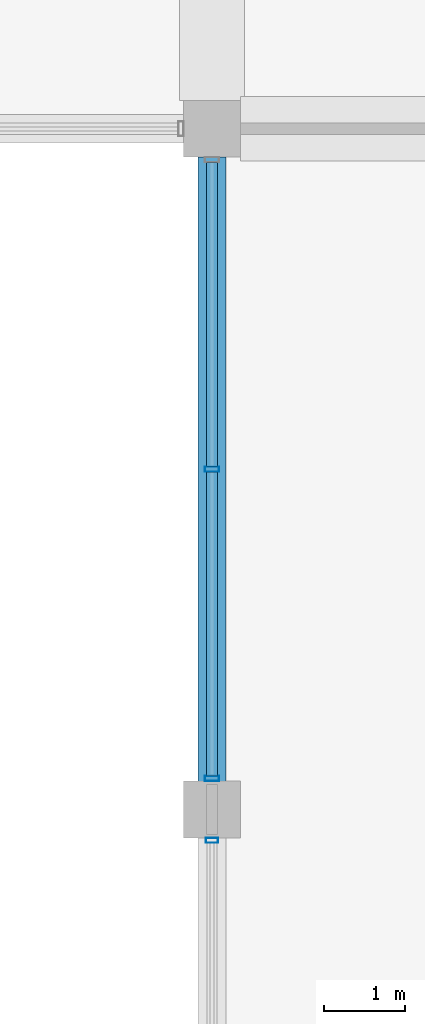
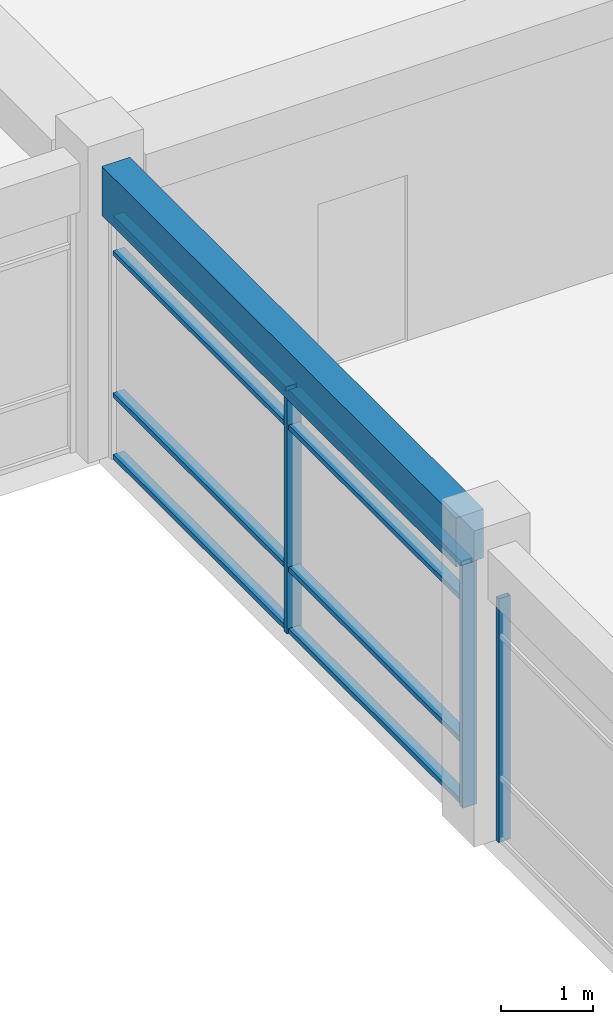
# One storey, part 16 of 53: 11 members, 1 beam, 2 elements without a shape of their own.
"""IFC4 building model written with IfcOpenShell, lengths in metres."""

from ifc_helpers import new_model, si_unit, direction, frame, origin, origin_2d, place, context, subcontext, project, spatial, rectangle, hollow_rectangle, extrude, material, material_profile, profile_set, type_object, element, aggregate, save


model = new_model("IFC4")

# Units and contexts
model_context = context("Model", 3, precision=1e-05, world=origin(), true_north=direction((0.0, 1.0)))
body_context = subcontext(model_context, "Body", "Model", "MODEL_VIEW")
ifc_project = project(units=[si_unit("LENGTHUNIT", "METRE"), si_unit("AREAUNIT", "SQUARE_METRE"), si_unit("VOLUMEUNIT", "CUBIC_METRE"), si_unit("PLANEANGLEUNIT", "RADIAN"), si_unit("MASSUNIT", "GRAM", prefix="KILO"), si_unit("THERMODYNAMICTEMPERATUREUNIT", "KELVIN"), si_unit("POWERUNIT", "WATT")], contexts=[model_context])

# Site, building, storey
site_placement = place(None, origin())
site = spatial("IfcSite", under=ifc_project, at=site_placement, CompositionType="ELEMENT")
building_placement = place(site_placement, origin())
building = spatial("IfcBuilding", under=site, at=building_placement, Name="Srebrne Nadtorze General Hospital", CompositionType="ELEMENT")
storey_placement = place(building_placement, frame((0.0, 0.0, 18.0)))
storey = spatial("IfcBuildingStorey", under=building, at=storey_placement, Name="L04", CompositionType="ELEMENT", Elevation=18.0)

# Curtain wall, member
ifc_material_1 = material(Name="Anodised Aluminium", Category="aluminium")
curtain_wall_type = type_object("IfcCurtainWallType", Name="Unitised curtain wall 7700x3235", PredefinedType="NOTDEFINED", material=ifc_material_1)
curtain_wall_1_placement = place(storey_placement, origin())
curtain_wall_1 = element("IfcCurtainWall", 1, at=curtain_wall_1_placement, inside=storey, type_object=curtain_wall_type, Name="Curtain wall CW-112", PredefinedType="NOTDEFINED")
ifc_material_2 = material(Name="Anodised Aluminium", Category="aluminium")
ifc_material_profile_1 = material_profile(ifc_material_2, hollow_rectangle(XDim=0.06005859375, YDim=0.14990234375, WallThickness=0.00390625, at=origin_2d()), Name="AL-MUL-60x150")
ifc_profile_set_1 = profile_set([ifc_material_profile_1], Name="Anodised Aluminium")
member_type_1 = type_object("IfcMemberType", Name="Curtain mullion 60x150", PredefinedType="MULLION", material=ifc_profile_set_1)
member_1_placement = place(storey_placement, frame((132.60009765625, 16.419921875, 0.0), z_axis=(0.0, 0.0, 1.0), x_axis=(0.0, 1.0, 0.0)))
member_1 = element("IfcMember", 2, at=member_1_placement, type_object=member_type_1, Name="CW-112 mullion 3", PredefinedType="MULLION", context=body_context, shape_type="SweptSolid", body=[
    extrude(hollow_rectangle(XDim=0.06005859375, YDim=0.14990234375, WallThickness=0.00390625, at=origin_2d()), origin(), (0.0, 0.0, 1.0), 3.235107421875),
])
aggregate(curtain_wall_1, [member_1])

# Curtain wall, members
curtain_wall_2_placement = place(storey_placement, origin())
curtain_wall_2 = element("IfcCurtainWall", 3, at=curtain_wall_2_placement, inside=storey, type_object=curtain_wall_type, Name="Curtain wall CW-113", PredefinedType="NOTDEFINED")
ifc_material_3 = material(Name="Anodised Aluminium", Category="aluminium")
ifc_material_profile_2 = material_profile(ifc_material_3, hollow_rectangle(XDim=0.06494140625, YDim=0.179931640625, WallThickness=0.00390625, at=origin_2d()), Name="AL-MUL-65x180")
ifc_profile_set_2 = profile_set([ifc_material_profile_2], Name="Anodised Aluminium")
member_type_2 = type_object("IfcMemberType", Name="Curtain mullion 65x180", PredefinedType="MULLION", material=ifc_profile_set_2)
member_2_placement = place(storey_placement, frame((132.60009765625, 17.1826171875, 0.0), z_axis=(0.0, 0.0, 1.0), x_axis=(0.0, 1.0, 0.0)))
member_2 = element("IfcMember", 4, at=member_2_placement, type_object=member_type_2, Name="CW-113 mullion 1", PredefinedType="MULLION", context=body_context, shape_type="SweptSolid", body=[
    extrude(hollow_rectangle(XDim=0.06494140625, YDim=0.179931640625, WallThickness=0.00390625, at=origin_2d()), origin(), (0.0, 0.0, 1.0), 3.235107421875),
])
member_3_placement = place(storey_placement, frame((132.60009765625, 21.0, 0.0), z_axis=(0.0, 0.0, 1.0), x_axis=(0.0, 1.0, 0.0)))
member_3 = element("IfcMember", 5, at=member_3_placement, type_object=member_type_2, Name="CW-113 mullion 2", PredefinedType="MULLION", context=body_context, shape_type="SweptSolid", body=[
    extrude(hollow_rectangle(XDim=0.06494140625, YDim=0.179931640625, WallThickness=0.00390625, at=origin_2d()), origin(), (0.0, 0.0, 1.0), 3.235107421875),
])
ifc_material_4 = material(Name="Anodised Aluminium", Category="aluminium")
ifc_material_profile_3 = material_profile(ifc_material_4, hollow_rectangle(XDim=0.06494140625, YDim=0.139892578125, WallThickness=0.00390625, at=origin_2d()), Name="AL-TRN-65x140")
ifc_profile_set_3 = profile_set([ifc_material_profile_3], Name="Anodised Aluminium")
member_type_3 = type_object("IfcMemberType", Name="Curtain transom 65x140", PredefinedType="USERDEFINED", material=ifc_profile_set_3)
member_4_placement = place(storey_placement, frame((132.60009765625, 17.215087890625, 0.032470703125), z_axis=(0.0, 1.0, 0.0), x_axis=(0.0, 0.0, 1.0)))
member_4 = element("IfcMember", 6, at=member_4_placement, type_object=member_type_3, Name="CW-113 transom 1.1", ObjectType="TRANSOM", PredefinedType="USERDEFINED", context=body_context, shape_type="SweptSolid", body=[
    extrude(hollow_rectangle(XDim=0.06494140625, YDim=0.139892578125, WallThickness=0.00390625, at=origin_2d()), origin(), (0.0, 0.0, 1.0), 3.75244140625),
])
member_5_placement = place(storey_placement, frame((132.60009765625, 17.215087890625, 0.85009765625), z_axis=(0.0, 1.0, 0.0), x_axis=(0.0, 0.0, 1.0)))
member_5 = element("IfcMember", 7, at=member_5_placement, type_object=member_type_3, Name="CW-113 transom 1.2", ObjectType="TRANSOM", PredefinedType="USERDEFINED", context=body_context, shape_type="SweptSolid", body=[
    extrude(hollow_rectangle(XDim=0.06494140625, YDim=0.139892578125, WallThickness=0.00390625, at=origin_2d()), origin(), (0.0, 0.0, 1.0), 3.75244140625),
])
member_6_placement = place(storey_placement, frame((132.60009765625, 17.215087890625, 2.735107421875), z_axis=(0.0, 1.0, 0.0), x_axis=(0.0, 0.0, 1.0)))
member_6 = element("IfcMember", 8, at=member_6_placement, type_object=member_type_3, Name="CW-113 transom 1.3", ObjectType="TRANSOM", PredefinedType="USERDEFINED", context=body_context, shape_type="SweptSolid", body=[
    extrude(hollow_rectangle(XDim=0.06494140625, YDim=0.139892578125, WallThickness=0.00390625, at=origin_2d()), origin(), (0.0, 0.0, 1.0), 3.75244140625),
])
member_7_placement = place(storey_placement, frame((132.60009765625, 17.215087890625, 3.202392578125), z_axis=(0.0, 1.0, 0.0), x_axis=(0.0, 0.0, 1.0)))
member_7 = element("IfcMember", 9, at=member_7_placement, type_object=member_type_3, Name="CW-113 transom 1.4", ObjectType="TRANSOM", PredefinedType="USERDEFINED", context=body_context, shape_type="SweptSolid", body=[
    extrude(hollow_rectangle(XDim=0.06494140625, YDim=0.139892578125, WallThickness=0.00390625, at=origin_2d()), origin(), (0.0, 0.0, 1.0), 3.75244140625),
])
member_8_placement = place(storey_placement, frame((132.60009765625, 21.032470703125, 0.032470703125), z_axis=(0.0, 1.0, 0.0), x_axis=(0.0, 0.0, 1.0)))
member_8 = element("IfcMember", 10, at=member_8_placement, type_object=member_type_3, Name="CW-113 transom 2.1", ObjectType="TRANSOM", PredefinedType="USERDEFINED", context=body_context, shape_type="SweptSolid", body=[
    extrude(hollow_rectangle(XDim=0.06494140625, YDim=0.139892578125, WallThickness=0.00390625, at=origin_2d()), origin(), (0.0, 0.0, 1.0), 3.75244140625),
])
member_9_placement = place(storey_placement, frame((132.60009765625, 21.032470703125, 0.85009765625), z_axis=(0.0, 1.0, 0.0), x_axis=(0.0, 0.0, 1.0)))
member_9 = element("IfcMember", 11, at=member_9_placement, type_object=member_type_3, Name="CW-113 transom 2.2", ObjectType="TRANSOM", PredefinedType="USERDEFINED", context=body_context, shape_type="SweptSolid", body=[
    extrude(hollow_rectangle(XDim=0.06494140625, YDim=0.139892578125, WallThickness=0.00390625, at=origin_2d()), origin(), (0.0, 0.0, 1.0), 3.75244140625),
])
member_10_placement = place(storey_placement, frame((132.60009765625, 21.032470703125, 2.735107421875), z_axis=(0.0, 1.0, 0.0), x_axis=(0.0, 0.0, 1.0)))
member_10 = element("IfcMember", 12, at=member_10_placement, type_object=member_type_3, Name="CW-113 transom 2.3", ObjectType="TRANSOM", PredefinedType="USERDEFINED", context=body_context, shape_type="SweptSolid", body=[
    extrude(hollow_rectangle(XDim=0.06494140625, YDim=0.139892578125, WallThickness=0.00390625, at=origin_2d()), origin(), (0.0, 0.0, 1.0), 3.75244140625),
])
member_11_placement = place(storey_placement, frame((132.60009765625, 21.032470703125, 3.202392578125), z_axis=(0.0, 1.0, 0.0), x_axis=(0.0, 0.0, 1.0)))
member_11 = element("IfcMember", 13, at=member_11_placement, type_object=member_type_3, Name="CW-113 transom 2.4", ObjectType="TRANSOM", PredefinedType="USERDEFINED", context=body_context, shape_type="SweptSolid", body=[
    extrude(hollow_rectangle(XDim=0.06494140625, YDim=0.139892578125, WallThickness=0.00390625, at=origin_2d()), origin(), (0.0, 0.0, 1.0), 3.75244140625),
])
aggregate(curtain_wall_2, [member_2, member_3, member_4, member_5, member_6, member_7, member_8, member_9, member_10, member_11])

# Beam
ifc_material_5 = material(Name="Concrete C35/45", Category="concrete")
ifc_material_profile_4 = material_profile(ifc_material_5, rectangle(XDim=0.35009765625, YDim=0.64990234375, at=origin_2d()), Name="RC-BM-350x650")
ifc_profile_set_4 = profile_set([ifc_material_profile_4], Name="Concrete C35/45")
beam_type = type_object("IfcBeamType", Name="Edge beam RC 350x650", PredefinedType="BEAM", material=ifc_profile_set_4)
beam_placement = place(storey_placement, frame((132.60009765625, 17.14990234375, 3.56005859375), z_axis=(0.0, 1.0, 0.0), x_axis=(-1.0, 0.0, 0.0)))
element("IfcBeam", 14, at=beam_placement, inside=storey, type_object=beam_type, Name="Beam BM-L04-Y-0976", PredefinedType="BEAM", context=body_context, shape_type="SweptSolid", body=[
    extrude(rectangle(XDim=0.35009765625, YDim=0.64990234375, at=origin_2d()), origin(), (0.0, 0.0, 1.0), 7.7001953125),
])

save(model, "model.ifc")
